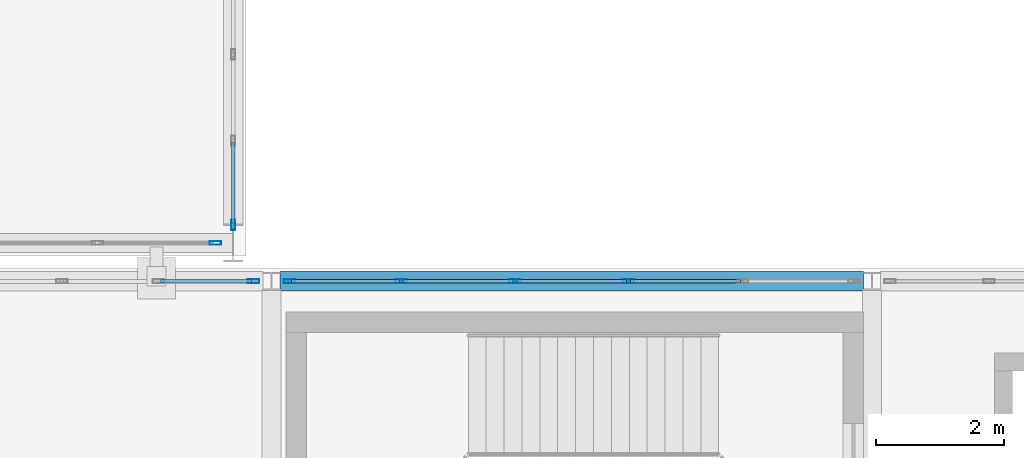
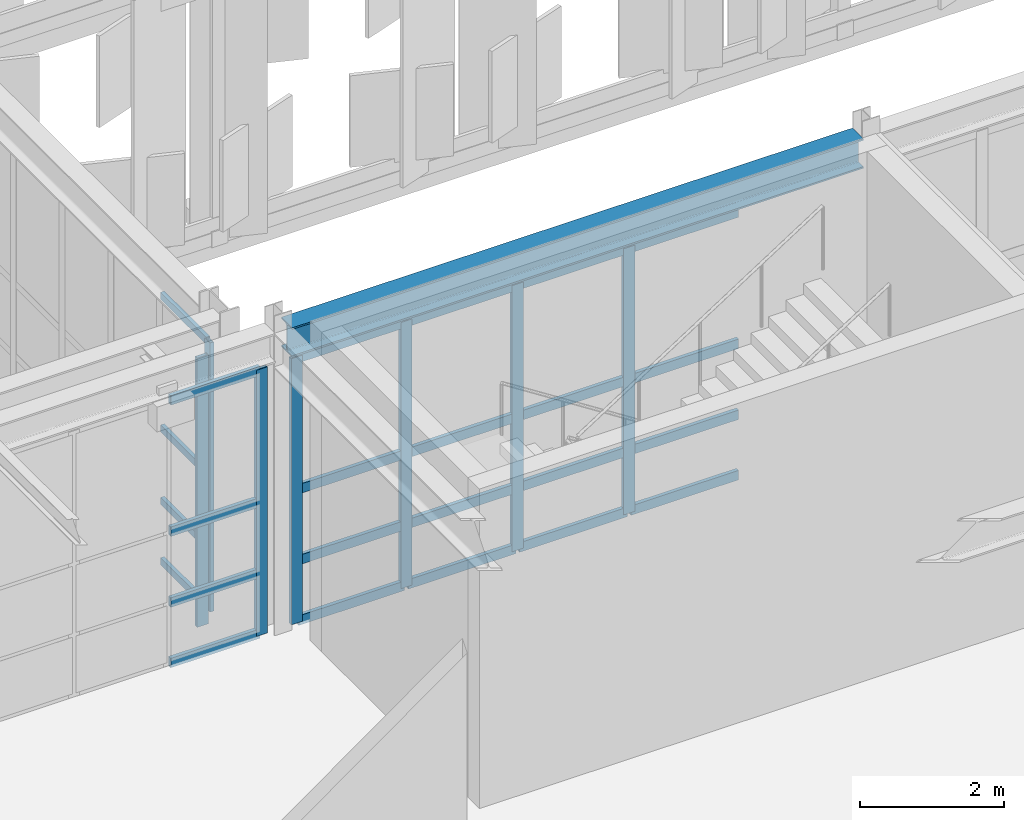
# One storey, part 146 of 239: 31 members, 1 beam, 4 elements without a shape of their own.
"""IFC4 building model written with IfcOpenShell, lengths in metres."""

from ifc_helpers import new_model, si_unit, direction, frame, origin, origin_2d, place, context, subcontext, project, spatial, hollow_rectangle, i_section, extrude, material, material_profile, profile_set, type_object, element, aggregate, save


model = new_model("IFC4")

# Units and contexts
model_context = context("Model", 3, precision=1e-05, world=origin(), true_north=direction((0.0, 1.0)))
body_context = subcontext(model_context, "Body", "Model", "MODEL_VIEW")
ifc_project = project(units=[si_unit("LENGTHUNIT", "METRE"), si_unit("AREAUNIT", "SQUARE_METRE"), si_unit("VOLUMEUNIT", "CUBIC_METRE"), si_unit("PLANEANGLEUNIT", "RADIAN"), si_unit("MASSUNIT", "GRAM", prefix="KILO")], contexts=[model_context])

# Site, building, storey
site_placement = place(None, origin())
site = spatial("IfcSite", under=ifc_project, at=site_placement, CompositionType="ELEMENT")
building_placement = place(site_placement, origin())
building = spatial("IfcBuilding", under=site, at=building_placement, Name="Kaldris Quays Convention Centre", CompositionType="ELEMENT")
storey_placement = place(building_placement, frame((0.0, 0.0, 11.39990234375)))
storey = spatial("IfcBuildingStorey", under=building, at=storey_placement, Name="L02", CompositionType="ELEMENT", Elevation=11.39990234375)

# Curtain wall, member
ifc_material_1 = material(Name="Anodized aluminium AW-6060 and triple glazing", Category="aluminium")
curtain_wall_type_1 = type_object("IfcCurtainWallType", Name="UNITISED CURTAIN WALL CW04", PredefinedType="NOTDEFINED", material=ifc_material_1)
curtain_wall_1_placement = place(storey_placement, origin())
curtain_wall_1 = element("IfcCurtainWall", 1, at=curtain_wall_1_placement, inside=storey, type_object=curtain_wall_type_1, Name="L02 Unitised Curtain Wall CW04 142", PredefinedType="NOTDEFINED")
ifc_material_2 = material(Name="Anodized aluminium AW-6060", Category="aluminium")
ifc_material_profile_1 = material_profile(ifc_material_2, hollow_rectangle(XDim=0.06005859375, YDim=0.159912109375, WallThickness=0.00390625, at=origin_2d()), Name="RHS 160x60x4")
ifc_profile_set_1 = profile_set([ifc_material_profile_1], Name="Anodized aluminium AW-6060")
member_type_1 = type_object("IfcMemberType", Name="CURTAIN MULLION CWM1", PredefinedType="MULLION", material=ifc_profile_set_1)
member_1_placement = place(storey_placement, frame((164.0, 38.280029296875, 0.0), z_axis=(0.0, 0.0, 1.0), x_axis=(-1.0, 0.0, 0.0)))
member_1 = element("IfcMember", 2, at=member_1_placement, type_object=member_type_1, Name="CW04 mullion 1", PredefinedType="MULLION", context=body_context, shape_type="SweptSolid", body=[
    extrude(hollow_rectangle(XDim=0.06005859375, YDim=0.159912109375, WallThickness=0.00390625, at=origin_2d()), origin(), (0.0, 0.0, 1.0), 4.548095703125),
])

curtain_wall_type_2 = type_object("IfcCurtainWallType", Name="UNITISED CURTAIN WALL CW05", PredefinedType="NOTDEFINED", material=ifc_material_1)
curtain_wall_2_placement = place(storey_placement, origin())
curtain_wall_2 = element("IfcCurtainWall", 3, at=curtain_wall_2_placement, inside=storey, type_object=curtain_wall_type_2, Name="L02 Unitised Curtain Wall CW05 145", PredefinedType="NOTDEFINED")
ifc_material_profile_2 = material_profile(ifc_material_2, hollow_rectangle(XDim=0.06005859375, YDim=0.179931640625, WallThickness=0.0048828125, at=origin_2d()), Name="RHS 180x60x5")
ifc_profile_set_2 = profile_set([ifc_material_profile_2], Name="Anodized aluminium AW-6060")
member_type_2 = type_object("IfcMemberType", Name="CURTAIN MULLION CWM2", PredefinedType="MULLION", material=ifc_profile_set_2)
member_2_placement = place(storey_placement, frame((163.719970703125, 38.0, 0.0), z_axis=(0.0, 0.0, 1.0), x_axis=(0.0, 1.0, 0.0)))
member_2 = element("IfcMember", 4, at=member_2_placement, type_object=member_type_2, Name="CW05 mullion 10", PredefinedType="MULLION", context=body_context, shape_type="SweptSolid", body=[
    extrude(hollow_rectangle(XDim=0.06005859375, YDim=0.179931640625, WallThickness=0.0048828125, at=origin_2d()), origin(), (0.0, 0.0, 1.0), 4.548095703125),
])
aggregate(curtain_wall_2, [member_2])

curtain_wall_type_3 = type_object("IfcCurtainWallType", Name="UNITISED CURTAIN WALL CW02", PredefinedType="NOTDEFINED", material=ifc_material_1)
curtain_wall_3_placement = place(storey_placement, origin())
curtain_wall_3 = element("IfcCurtainWall", 5, at=curtain_wall_3_placement, inside=storey, type_object=curtain_wall_type_3, Name="L02 Unitised Curtain Wall CW02 200", PredefinedType="NOTDEFINED")
member_3_placement = place(storey_placement, frame((164.320068359375, 37.39990234375, 0.0), z_axis=(0.0, 0.0, 1.0), x_axis=(0.0, 1.0, 0.0)))
member_3 = element("IfcMember", 6, at=member_3_placement, type_object=member_type_2, Name="CW02 mullion 7", PredefinedType="MULLION", context=body_context, shape_type="SweptSolid", body=[
    extrude(hollow_rectangle(XDim=0.06005859375, YDim=0.179931640625, WallThickness=0.0048828125, at=origin_2d()), origin(), (0.0, 0.0, 1.0), 4.498046875),
])

# Curtain wall, members
curtain_wall_4_placement = place(storey_placement, origin())
curtain_wall_4 = element("IfcCurtainWall", 7, at=curtain_wall_4_placement, inside=storey, type_object=curtain_wall_type_3, Name="L02 Unitised Curtain Wall CW02 202", PredefinedType="NOTDEFINED")
member_4_placement = place(storey_placement, frame((164.8798828125, 37.39990234375, 0.0), z_axis=(0.0, 0.0, 1.0), x_axis=(0.0, 1.0, 0.0)))
member_4 = element("IfcMember", 8, at=member_4_placement, type_object=member_type_2, Name="CW02 mullion 1", PredefinedType="MULLION", context=body_context, shape_type="SweptSolid", body=[
    extrude(hollow_rectangle(XDim=0.06005859375, YDim=0.179931640625, WallThickness=0.0048828125, at=origin_2d()), origin(), (0.0, 0.0, 1.0), 4.498046875),
])
member_5_placement = place(storey_placement, frame((166.6298828125, 37.39990234375, 0.0), z_axis=(0.0, 0.0, 1.0), x_axis=(0.0, 1.0, 0.0)))
member_5 = element("IfcMember", 9, at=member_5_placement, type_object=member_type_2, Name="CW02 mullion 2", PredefinedType="MULLION", context=body_context, shape_type="SweptSolid", body=[
    extrude(hollow_rectangle(XDim=0.06005859375, YDim=0.179931640625, WallThickness=0.0048828125, at=origin_2d()), origin(), (0.0, 0.0, 1.0), 4.498046875),
])
member_6_placement = place(storey_placement, frame((168.409912109375, 37.39990234375, 0.0), z_axis=(0.0, 0.0, 1.0), x_axis=(0.0, 1.0, 0.0)))
member_6 = element("IfcMember", 10, at=member_6_placement, type_object=member_type_2, Name="CW02 mullion 3", PredefinedType="MULLION", context=body_context, shape_type="SweptSolid", body=[
    extrude(hollow_rectangle(XDim=0.06005859375, YDim=0.179931640625, WallThickness=0.0048828125, at=origin_2d()), origin(), (0.0, 0.0, 1.0), 4.498046875),
])
member_7_placement = place(storey_placement, frame((170.18994140625, 37.39990234375, 0.0), z_axis=(0.0, 0.0, 1.0), x_axis=(0.0, 1.0, 0.0)))
member_7 = element("IfcMember", 11, at=member_7_placement, type_object=member_type_2, Name="CW02 mullion 4", PredefinedType="MULLION", context=body_context, shape_type="SweptSolid", body=[
    extrude(hollow_rectangle(XDim=0.06005859375, YDim=0.179931640625, WallThickness=0.0048828125, at=origin_2d()), origin(), (0.0, 0.0, 1.0), 4.498046875),
])

# Member
ifc_material_profile_3 = material_profile(ifc_material_2, hollow_rectangle(XDim=0.06005859375, YDim=0.1201171875, WallThickness=0.00390625, at=origin_2d()), Name="RHS 120x60x4")
ifc_profile_set_3 = profile_set([ifc_material_profile_3], Name="Anodized aluminium AW-6060")
member_type_3 = type_object("IfcMemberType", Name="CURTAIN TRANSOM CWT1", PredefinedType="USERDEFINED", material=ifc_profile_set_3)
member_8_placement = place(storey_placement, frame((164.0, 38.31005859375, 0.030029296875), z_axis=(0.0, 1.0, 0.0), x_axis=(-1.0, 0.0, 0.0)))
member_8 = element("IfcMember", 12, at=member_8_placement, type_object=member_type_3, Name="CW04 transom 1.1", ObjectType="TRANSOM", PredefinedType="USERDEFINED", context=body_context, shape_type="SweptSolid", body=[
    extrude(hollow_rectangle(XDim=0.06005859375, YDim=0.1201171875, WallThickness=0.00390625, at=origin_2d()), origin(), (0.0, 0.0, 1.0), 1.260009765625),
])

member_9_placement = place(storey_placement, frame((164.0, 38.31005859375, 1.050048828125), z_axis=(0.0, 1.0, 0.0), x_axis=(-1.0, 0.0, 0.0)))
member_9 = element("IfcMember", 13, at=member_9_placement, type_object=member_type_3, Name="CW04 transom 1.2", ObjectType="TRANSOM", PredefinedType="USERDEFINED", context=body_context, shape_type="SweptSolid", body=[
    extrude(hollow_rectangle(XDim=0.06005859375, YDim=0.1201171875, WallThickness=0.00390625, at=origin_2d()), origin(), (0.0, 0.0, 1.0), 1.260009765625),
])

member_10_placement = place(storey_placement, frame((164.0, 38.31005859375, 2.274169921875), z_axis=(0.0, 1.0, 0.0), x_axis=(-1.0, 0.0, 0.0)))
member_10 = element("IfcMember", 14, at=member_10_placement, type_object=member_type_3, Name="CW04 transom 1.3", ObjectType="TRANSOM", PredefinedType="USERDEFINED", context=body_context, shape_type="SweptSolid", body=[
    extrude(hollow_rectangle(XDim=0.06005859375, YDim=0.1201171875, WallThickness=0.00390625, at=origin_2d()), origin(), (0.0, 0.0, 1.0), 1.260009765625),
])

member_11_placement = place(storey_placement, frame((164.0, 38.31005859375, 4.51806640625), z_axis=(0.0, 1.0, 0.0), x_axis=(-1.0, 0.0, 0.0)))
member_11 = element("IfcMember", 15, at=member_11_placement, type_object=member_type_3, Name="CW04 transom 1.4", ObjectType="TRANSOM", PredefinedType="USERDEFINED", context=body_context, shape_type="SweptSolid", body=[
    extrude(hollow_rectangle(XDim=0.06005859375, YDim=0.1201171875, WallThickness=0.00390625, at=origin_2d()), origin(), (0.0, 0.0, 1.0), 1.260009765625),
])

aggregate(curtain_wall_1, [member_1, member_8, member_9, member_10, member_11])

ifc_material_profile_4 = material_profile(ifc_material_2, hollow_rectangle(XDim=0.06005859375, YDim=0.159912109375, WallThickness=0.00390625, at=origin_2d()), Name="RHS 160x60x4")
ifc_profile_set_4 = profile_set([ifc_material_profile_4], Name="Anodized aluminium AW-6060")
member_type_4 = type_object("IfcMemberType", Name="CURTAIN TRANSOM CWT2", PredefinedType="USERDEFINED", material=ifc_profile_set_4)
member_12_placement = place(storey_placement, frame((162.86328125, 37.39990234375, 0.030029296875), z_axis=(1.0, 0.0, 0.0), x_axis=(0.0, 1.0, 0.0)))
member_12 = element("IfcMember", 16, at=member_12_placement, type_object=member_type_4, Name="CW02 transom 6.1", ObjectType="TRANSOM", PredefinedType="USERDEFINED", context=body_context, shape_type="SweptSolid", body=[
    extrude(hollow_rectangle(XDim=0.06005859375, YDim=0.159912109375, WallThickness=0.00390625, at=origin_2d()), origin(), (0.0, 0.0, 1.0), 1.4267578125),
])

member_13_placement = place(storey_placement, frame((162.86328125, 37.39990234375, 1.050048828125), z_axis=(1.0, 0.0, 0.0), x_axis=(0.0, 1.0, 0.0)))
member_13 = element("IfcMember", 17, at=member_13_placement, type_object=member_type_4, Name="CW02 transom 6.2", ObjectType="TRANSOM", PredefinedType="USERDEFINED", context=body_context, shape_type="SweptSolid", body=[
    extrude(hollow_rectangle(XDim=0.06005859375, YDim=0.159912109375, WallThickness=0.00390625, at=origin_2d()), origin(), (0.0, 0.0, 1.0), 1.4267578125),
])

member_14_placement = place(storey_placement, frame((162.86328125, 37.39990234375, 2.2490234375), z_axis=(1.0, 0.0, 0.0), x_axis=(0.0, 1.0, 0.0)))
member_14 = element("IfcMember", 18, at=member_14_placement, type_object=member_type_4, Name="CW02 transom 6.3", ObjectType="TRANSOM", PredefinedType="USERDEFINED", context=body_context, shape_type="SweptSolid", body=[
    extrude(hollow_rectangle(XDim=0.06005859375, YDim=0.159912109375, WallThickness=0.00390625, at=origin_2d()), origin(), (0.0, 0.0, 1.0), 1.4267578125),
])

member_15_placement = place(storey_placement, frame((162.86328125, 37.39990234375, 4.468017578125), z_axis=(1.0, 0.0, 0.0), x_axis=(0.0, 1.0, 0.0)))
member_15 = element("IfcMember", 19, at=member_15_placement, type_object=member_type_4, Name="CW02 transom 6.4", ObjectType="TRANSOM", PredefinedType="USERDEFINED", context=body_context, shape_type="SweptSolid", body=[
    extrude(hollow_rectangle(XDim=0.06005859375, YDim=0.159912109375, WallThickness=0.00390625, at=origin_2d()), origin(), (0.0, 0.0, 1.0), 1.4267578125),
])

aggregate(curtain_wall_3, [member_3, member_12, member_13, member_14, member_15])

member_16_placement = place(storey_placement, frame((164.909912109375, 37.39990234375, 0.030029296875), z_axis=(1.0, 0.0, 0.0), x_axis=(0.0, 1.0, 0.0)))
member_16 = element("IfcMember", 20, at=member_16_placement, type_object=member_type_4, Name="CW02 transom 1.1", ObjectType="TRANSOM", PredefinedType="USERDEFINED", context=body_context, shape_type="SweptSolid", body=[
    extrude(hollow_rectangle(XDim=0.06005859375, YDim=0.159912109375, WallThickness=0.00390625, at=origin_2d()), origin(), (0.0, 0.0, 1.0), 1.690185546875),
])

member_17_placement = place(storey_placement, frame((164.909912109375, 37.39990234375, 1.050048828125), z_axis=(1.0, 0.0, 0.0), x_axis=(0.0, 1.0, 0.0)))
member_17 = element("IfcMember", 21, at=member_17_placement, type_object=member_type_4, Name="CW02 transom 1.2", ObjectType="TRANSOM", PredefinedType="USERDEFINED", context=body_context, shape_type="SweptSolid", body=[
    extrude(hollow_rectangle(XDim=0.06005859375, YDim=0.159912109375, WallThickness=0.00390625, at=origin_2d()), origin(), (0.0, 0.0, 1.0), 1.690185546875),
])

member_18_placement = place(storey_placement, frame((164.909912109375, 37.39990234375, 2.2490234375), z_axis=(1.0, 0.0, 0.0), x_axis=(0.0, 1.0, 0.0)))
member_18 = element("IfcMember", 22, at=member_18_placement, type_object=member_type_4, Name="CW02 transom 1.3", ObjectType="TRANSOM", PredefinedType="USERDEFINED", context=body_context, shape_type="SweptSolid", body=[
    extrude(hollow_rectangle(XDim=0.06005859375, YDim=0.159912109375, WallThickness=0.00390625, at=origin_2d()), origin(), (0.0, 0.0, 1.0), 1.690185546875),
])

member_19_placement = place(storey_placement, frame((164.909912109375, 37.39990234375, 4.468017578125), z_axis=(1.0, 0.0, 0.0), x_axis=(0.0, 1.0, 0.0)))
member_19 = element("IfcMember", 23, at=member_19_placement, type_object=member_type_4, Name="CW02 transom 1.4", ObjectType="TRANSOM", PredefinedType="USERDEFINED", context=body_context, shape_type="SweptSolid", body=[
    extrude(hollow_rectangle(XDim=0.06005859375, YDim=0.159912109375, WallThickness=0.00390625, at=origin_2d()), origin(), (0.0, 0.0, 1.0), 1.690185546875),
])

member_20_placement = place(storey_placement, frame((166.659912109375, 37.39990234375, 0.030029296875), z_axis=(1.0, 0.0, 0.0), x_axis=(0.0, 1.0, 0.0)))
member_20 = element("IfcMember", 24, at=member_20_placement, type_object=member_type_4, Name="CW02 transom 2.1", ObjectType="TRANSOM", PredefinedType="USERDEFINED", context=body_context, shape_type="SweptSolid", body=[
    extrude(hollow_rectangle(XDim=0.06005859375, YDim=0.159912109375, WallThickness=0.00390625, at=origin_2d()), origin(), (0.0, 0.0, 1.0), 1.719970703125),
])

member_21_placement = place(storey_placement, frame((166.659912109375, 37.39990234375, 1.050048828125), z_axis=(1.0, 0.0, 0.0), x_axis=(0.0, 1.0, 0.0)))
member_21 = element("IfcMember", 25, at=member_21_placement, type_object=member_type_4, Name="CW02 transom 2.2", ObjectType="TRANSOM", PredefinedType="USERDEFINED", context=body_context, shape_type="SweptSolid", body=[
    extrude(hollow_rectangle(XDim=0.06005859375, YDim=0.159912109375, WallThickness=0.00390625, at=origin_2d()), origin(), (0.0, 0.0, 1.0), 1.719970703125),
])

member_22_placement = place(storey_placement, frame((166.659912109375, 37.39990234375, 2.2490234375), z_axis=(1.0, 0.0, 0.0), x_axis=(0.0, 1.0, 0.0)))
member_22 = element("IfcMember", 26, at=member_22_placement, type_object=member_type_4, Name="CW02 transom 2.3", ObjectType="TRANSOM", PredefinedType="USERDEFINED", context=body_context, shape_type="SweptSolid", body=[
    extrude(hollow_rectangle(XDim=0.06005859375, YDim=0.159912109375, WallThickness=0.00390625, at=origin_2d()), origin(), (0.0, 0.0, 1.0), 1.719970703125),
])

member_23_placement = place(storey_placement, frame((166.659912109375, 37.39990234375, 4.468017578125), z_axis=(1.0, 0.0, 0.0), x_axis=(0.0, 1.0, 0.0)))
member_23 = element("IfcMember", 27, at=member_23_placement, type_object=member_type_4, Name="CW02 transom 2.4", ObjectType="TRANSOM", PredefinedType="USERDEFINED", context=body_context, shape_type="SweptSolid", body=[
    extrude(hollow_rectangle(XDim=0.06005859375, YDim=0.159912109375, WallThickness=0.00390625, at=origin_2d()), origin(), (0.0, 0.0, 1.0), 1.719970703125),
])

member_24_placement = place(storey_placement, frame((168.43994140625, 37.39990234375, 0.030029296875), z_axis=(1.0, 0.0, 0.0), x_axis=(0.0, 1.0, 0.0)))
member_24 = element("IfcMember", 28, at=member_24_placement, type_object=member_type_4, Name="CW02 transom 3.1", ObjectType="TRANSOM", PredefinedType="USERDEFINED", context=body_context, shape_type="SweptSolid", body=[
    extrude(hollow_rectangle(XDim=0.06005859375, YDim=0.159912109375, WallThickness=0.00390625, at=origin_2d()), origin(), (0.0, 0.0, 1.0), 1.719970703125),
])

member_25_placement = place(storey_placement, frame((168.43994140625, 37.39990234375, 1.050048828125), z_axis=(1.0, 0.0, 0.0), x_axis=(0.0, 1.0, 0.0)))
member_25 = element("IfcMember", 29, at=member_25_placement, type_object=member_type_4, Name="CW02 transom 3.2", ObjectType="TRANSOM", PredefinedType="USERDEFINED", context=body_context, shape_type="SweptSolid", body=[
    extrude(hollow_rectangle(XDim=0.06005859375, YDim=0.159912109375, WallThickness=0.00390625, at=origin_2d()), origin(), (0.0, 0.0, 1.0), 1.719970703125),
])

member_26_placement = place(storey_placement, frame((168.43994140625, 37.39990234375, 2.2490234375), z_axis=(1.0, 0.0, 0.0), x_axis=(0.0, 1.0, 0.0)))
member_26 = element("IfcMember", 30, at=member_26_placement, type_object=member_type_4, Name="CW02 transom 3.3", ObjectType="TRANSOM", PredefinedType="USERDEFINED", context=body_context, shape_type="SweptSolid", body=[
    extrude(hollow_rectangle(XDim=0.06005859375, YDim=0.159912109375, WallThickness=0.00390625, at=origin_2d()), origin(), (0.0, 0.0, 1.0), 1.719970703125),
])

member_27_placement = place(storey_placement, frame((168.43994140625, 37.39990234375, 4.468017578125), z_axis=(1.0, 0.0, 0.0), x_axis=(0.0, 1.0, 0.0)))
member_27 = element("IfcMember", 31, at=member_27_placement, type_object=member_type_4, Name="CW02 transom 3.4", ObjectType="TRANSOM", PredefinedType="USERDEFINED", context=body_context, shape_type="SweptSolid", body=[
    extrude(hollow_rectangle(XDim=0.06005859375, YDim=0.159912109375, WallThickness=0.00390625, at=origin_2d()), origin(), (0.0, 0.0, 1.0), 1.719970703125),
])

member_28_placement = place(storey_placement, frame((170.219970703125, 37.39990234375, 0.030029296875), z_axis=(1.0, 0.0, 0.0), x_axis=(0.0, 1.0, 0.0)))
member_28 = element("IfcMember", 32, at=member_28_placement, type_object=member_type_4, Name="CW02 transom 4.1", ObjectType="TRANSOM", PredefinedType="USERDEFINED", context=body_context, shape_type="SweptSolid", body=[
    extrude(hollow_rectangle(XDim=0.06005859375, YDim=0.159912109375, WallThickness=0.00390625, at=origin_2d()), origin(), (0.0, 0.0, 1.0), 1.719970703125),
])

member_29_placement = place(storey_placement, frame((170.219970703125, 37.39990234375, 1.050048828125), z_axis=(1.0, 0.0, 0.0), x_axis=(0.0, 1.0, 0.0)))
member_29 = element("IfcMember", 33, at=member_29_placement, type_object=member_type_4, Name="CW02 transom 4.2", ObjectType="TRANSOM", PredefinedType="USERDEFINED", context=body_context, shape_type="SweptSolid", body=[
    extrude(hollow_rectangle(XDim=0.06005859375, YDim=0.159912109375, WallThickness=0.00390625, at=origin_2d()), origin(), (0.0, 0.0, 1.0), 1.719970703125),
])

member_30_placement = place(storey_placement, frame((170.219970703125, 37.39990234375, 2.2490234375), z_axis=(1.0, 0.0, 0.0), x_axis=(0.0, 1.0, 0.0)))
member_30 = element("IfcMember", 34, at=member_30_placement, type_object=member_type_4, Name="CW02 transom 4.3", ObjectType="TRANSOM", PredefinedType="USERDEFINED", context=body_context, shape_type="SweptSolid", body=[
    extrude(hollow_rectangle(XDim=0.06005859375, YDim=0.159912109375, WallThickness=0.00390625, at=origin_2d()), origin(), (0.0, 0.0, 1.0), 1.719970703125),
])

member_31_placement = place(storey_placement, frame((170.219970703125, 37.39990234375, 4.468017578125), z_axis=(1.0, 0.0, 0.0), x_axis=(0.0, 1.0, 0.0)))
member_31 = element("IfcMember", 35, at=member_31_placement, type_object=member_type_4, Name="CW02 transom 4.4", ObjectType="TRANSOM", PredefinedType="USERDEFINED", context=body_context, shape_type="SweptSolid", body=[
    extrude(hollow_rectangle(XDim=0.06005859375, YDim=0.159912109375, WallThickness=0.00390625, at=origin_2d()), origin(), (0.0, 0.0, 1.0), 1.719970703125),
])

aggregate(curtain_wall_4, [member_4, member_5, member_6, member_7, member_16, member_17, member_18, member_19, member_20, member_21, member_22, member_23, member_24, member_25, member_26, member_27, member_28, member_29, member_30, member_31])

# Beam
ifc_material_3 = material(Name="Steel S355J2", Category="steel")
ifc_material_profile_5 = material_profile(ifc_material_3, i_section(OverallWidth=0.300048828125, OverallDepth=0.5, WebThickness=0.014404296875, FlangeThickness=0.028076171875, FilletRadius=0.027099609375, at=origin_2d()), Name="HEB 500")
ifc_profile_set_5 = profile_set([ifc_material_profile_5], Name="Steel S355J2")
beam_type = type_object("IfcBeamType", Name="STRUCTURAL BEAM BM06", PredefinedType="BEAM", material=ifc_profile_set_5)
beam_placement = place(storey_placement, frame((164.73388671875, 37.39990234375, 4.863037109375), z_axis=(1.0, 0.0, 0.0), x_axis=(0.0, 1.0, 0.0)))
element("IfcBeam", 36, at=beam_placement, inside=storey, type_object=beam_type, Name="L02 Girder BM06 12", PredefinedType="BEAM", context=body_context, shape_type="SweptSolid", body=[
    extrude(i_section(OverallWidth=0.300048828125, OverallDepth=0.5, WebThickness=0.014404296875, FlangeThickness=0.028076171875, FilletRadius=0.027099609375, at=origin_2d()), origin(), (0.0, 0.0, 1.0), 9.132080078125),
])

save(model, "model.ifc")
